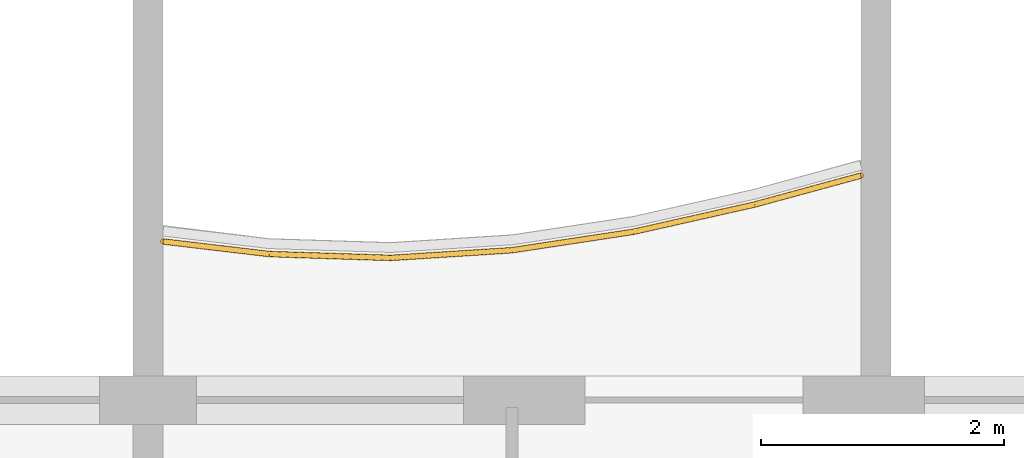
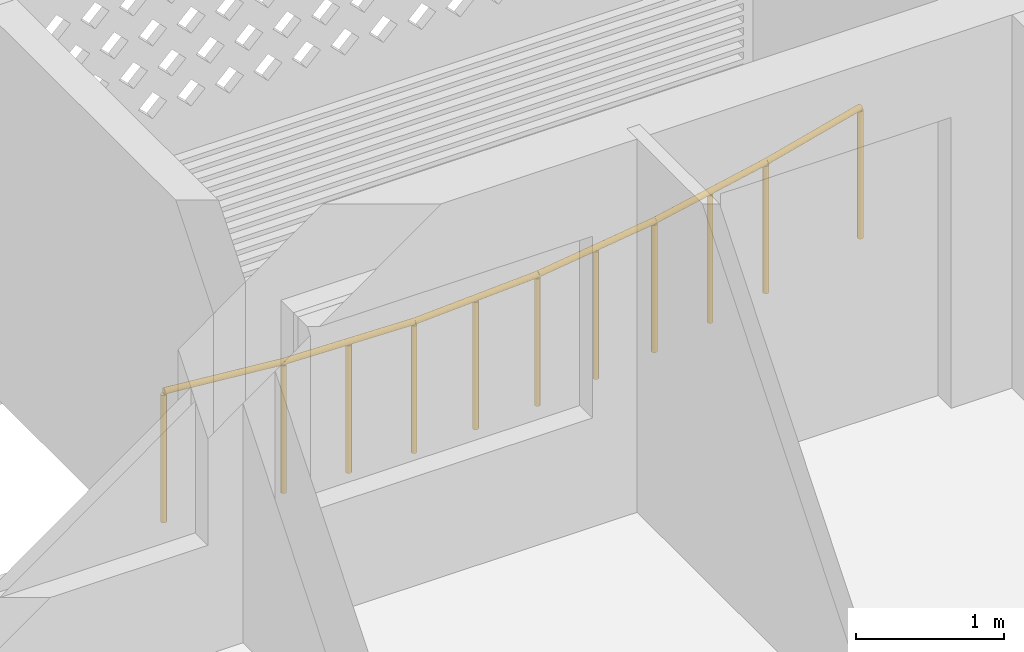
# One storey, part 19 of 26: 1 railing.
"""IFC4 building model written with IfcOpenShell, lengths in metres."""

from ifc_helpers import new_model, si_unit, direction, frame, origin, origin_2d, place, context, subcontext, project, spatial, circle, extrude, material, type_object, element, save


model = new_model("IFC4")

# Units and contexts
model_context = context("Model", 3, precision=1e-05, world=origin(), true_north=direction((0.0, 1.0)))
body_context = subcontext(model_context, "Body", "Model", "MODEL_VIEW")
ifc_project = project(units=[si_unit("LENGTHUNIT", "METRE"), si_unit("AREAUNIT", "SQUARE_METRE"), si_unit("VOLUMEUNIT", "CUBIC_METRE"), si_unit("PLANEANGLEUNIT", "RADIAN"), si_unit("MASSUNIT", "GRAM", prefix="KILO")], contexts=[model_context])

# Site, building, storey
site_placement = place(None, origin())
site = spatial("IfcSite", under=ifc_project, at=site_placement, CompositionType="ELEMENT")
building_placement = place(site_placement, origin())
building = spatial("IfcBuilding", under=site, at=building_placement, Name="Poui Terraces", CompositionType="ELEMENT")
storey_placement = place(building_placement, frame((0.0, 0.0, 224.699951171875)))
storey = spatial("IfcBuildingStorey", under=building, at=storey_placement, Name="L62", CompositionType="ELEMENT", Elevation=224.699951171875)

# Railing
ifc_material = material(Name="Painted steel fretwork", Category="steel")
railing_type = type_object("IfcRailingType", Name="BALCONY GUARD 1100", PredefinedType="GUARDRAIL", material=ifc_material)
railing_placement = place(storey_placement, frame((48.125, 42.506591796875, 0.0)))
element("IfcRailing", 1, at=railing_placement, inside=storey, type_object=railing_type, Name="BALCONY GUARD", PredefinedType="GUARDRAIL", context=body_context, shape_type="SweptSolid", body=[
    extrude(circle(Radius=0.02392578125, at=origin_2d()), frame((0.0, 0.0, 1.076171875), z_axis=(0.993074741363, -0.117484288599, 0.0), x_axis=(0.117484288599, 0.993074741363, 0.0)), (0.0, 0.0, 1.0), 0.881103515625),
    extrude(circle(Radius=0.02392578125, at=origin_2d()), frame((0.875, -0.103515625, 1.076171875), z_axis=(0.999496720941, -0.031722308038, 0.0), x_axis=(0.031722308038, 0.999496720941, 0.0)), (0.0, 0.0, 1.0), 1.00048828125),
    extrude(circle(Radius=0.02392578125, at=origin_2d()), frame((1.875, -0.13525390625, 1.076171875), z_axis=(0.998006805525, 0.063106387361, 0.0), x_axis=(-0.063106387361, 0.998006805525, 0.0)), (0.0, 0.0, 1.0), 1.001953125),
    extrude(circle(Radius=0.02392578125, at=origin_2d()), frame((2.875, -0.072021484375, 1.076171875), z_axis=(0.988665614785, 0.15013428037, 0.0), x_axis=(-0.15013428037, 0.988665614785, 0.0)), (0.0, 0.0, 1.0), 1.011474609375),
    extrude(circle(Radius=0.02392578125, at=origin_2d()), frame((3.875, 0.079833984375, 1.076171875), z_axis=(0.975640353268, 0.219376163418, 0.0), x_axis=(-0.219376163418, 0.975640353268, 0.0)), (0.0, 0.0, 1.0), 1.02490234375),
    extrude(circle(Radius=0.02392578125, at=origin_2d()), frame((4.875, 0.3046875, 1.076171875), z_axis=(0.964863154502, 0.26275291261, 0.0), x_axis=(-0.26275291261, 0.964863154502, 0.0)), (0.0, 0.0, 1.0), 0.906982421875),
    extrude(circle(Radius=0.02099609375, at=origin_2d()), origin(), (0.0, 0.0, 1.0), 1.052001953125),
    extrude(circle(Radius=0.02099609375, at=origin_2d()), frame((0.875, -0.103515625, 0.0)), (0.0, 0.0, 1.0), 1.052001953125),
    extrude(circle(Radius=0.02099609375, at=origin_2d()), frame((1.375, -0.119384765625, 0.0)), (0.0, 0.0, 1.0), 1.052001953125),
    extrude(circle(Radius=0.02099609375, at=origin_2d()), frame((1.875, -0.13525390625, 0.0)), (0.0, 0.0, 1.0), 1.052001953125),
    extrude(circle(Radius=0.02099609375, at=origin_2d()), frame((2.375, -0.103515625, 0.0)), (0.0, 0.0, 1.0), 1.052001953125),
    extrude(circle(Radius=0.02099609375, at=origin_2d()), frame((2.875, -0.072021484375, 0.0)), (0.0, 0.0, 1.0), 1.052001953125),
    extrude(circle(Radius=0.02099609375, at=origin_2d()), frame((3.375, 0.00390625, 0.0)), (0.0, 0.0, 1.0), 1.052001953125),
    extrude(circle(Radius=0.02099609375, at=origin_2d()), frame((3.875, 0.079833984375, 0.0)), (0.0, 0.0, 1.0), 1.052001953125),
    extrude(circle(Radius=0.02099609375, at=origin_2d()), frame((4.375, 0.1923828125, 0.0)), (0.0, 0.0, 1.0), 1.052001953125),
    extrude(circle(Radius=0.02099609375, at=origin_2d()), frame((4.875, 0.3046875, 0.0)), (0.0, 0.0, 1.0), 1.052001953125),
    extrude(circle(Radius=0.02099609375, at=origin_2d()), frame((5.75, 0.54296875, 0.0)), (0.0, 0.0, 1.0), 1.052001953125),
])

save(model, "model.ifc")
